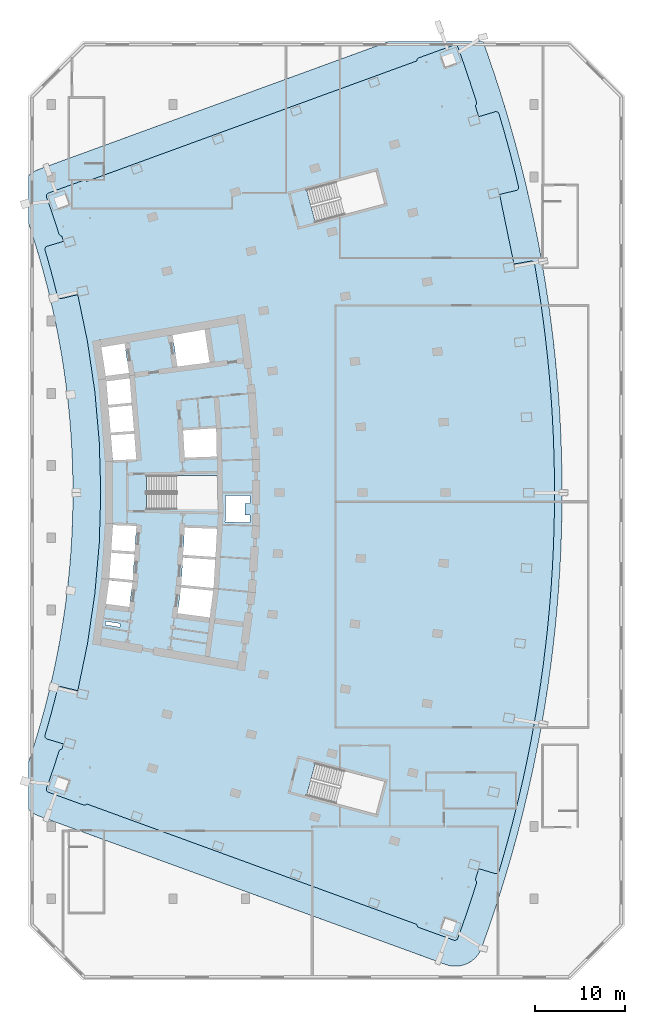
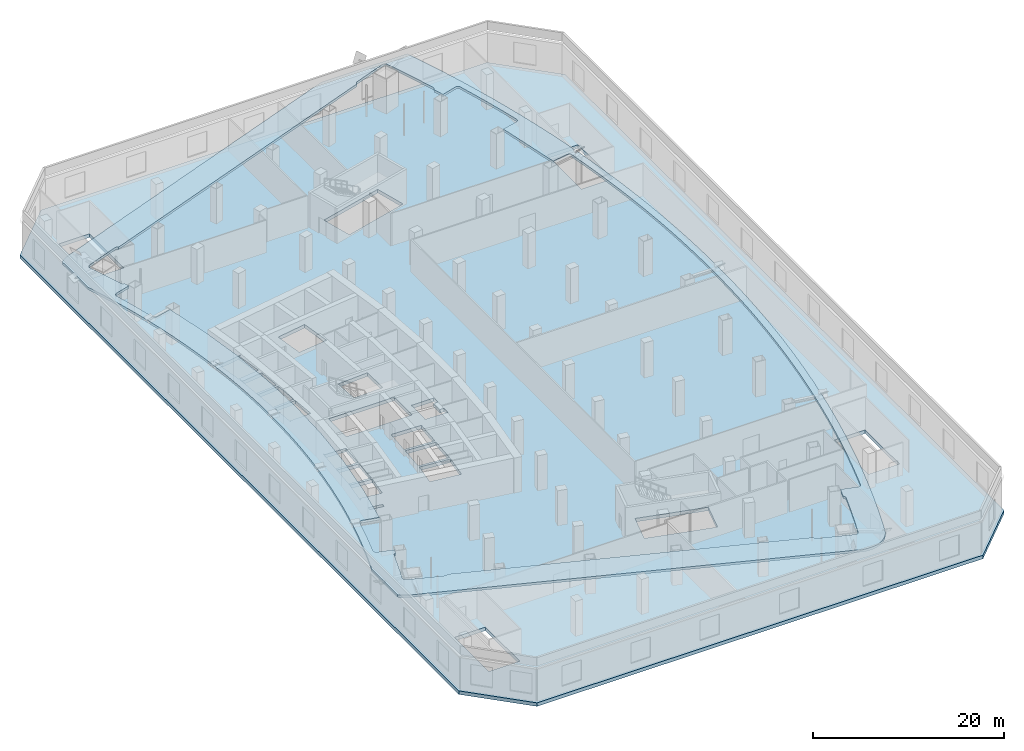
# One storey, part 10 of 19: 2 slabs.
"""IFC4 building model written with IfcOpenShell, lengths in metres."""

from ifc_helpers import new_model, si_unit, direction, frame, origin, place, context, subcontext, project, spatial, polyline, outline, extrude, material, layer, layer_set, type_object, element, save


model = new_model("IFC4")

# Units and contexts
model_context = context("Model", 3, precision=1e-05, world=origin(), true_north=direction((0.0, 1.0)))
body_context = subcontext(model_context, "Body", "Model", "MODEL_VIEW")
ifc_project = project(units=[si_unit("LENGTHUNIT", "METRE"), si_unit("AREAUNIT", "SQUARE_METRE"), si_unit("VOLUMEUNIT", "CUBIC_METRE"), si_unit("PLANEANGLEUNIT", "RADIAN"), si_unit("MASSUNIT", "GRAM", prefix="KILO")], contexts=[model_context])

# Site, building, storey
site_placement = place(None, origin())
site = spatial("IfcSite", under=ifc_project, at=site_placement, CompositionType="ELEMENT")
building_placement = place(site_placement, origin())
building = spatial("IfcBuilding", under=site, at=building_placement, Name="Alderwake Tower", CompositionType="ELEMENT")
storey_placement = place(building_placement, frame((0.0, 0.0, 27.5)))
storey = spatial("IfcBuildingStorey", under=building, at=storey_placement, Name="L05", CompositionType="ELEMENT", Elevation=27.5)

# Slabs
ifc_material_1 = material(Name="Concrete C50/60", Category="concrete")
ifc_layer_1 = layer(ifc_material_1, 0.449951171875)
ifc_layer_set_1 = layer_set([ifc_layer_1], Name="Concrete C50/60 post-tensioned flat plate 450")
slab_type_1 = type_object("IfcSlabType", Name="Concrete C50/60 post-tensioned flat plate 450", PredefinedType="FLOOR", material=ifc_layer_set_1)
slab_1_placement = place(storey_placement, frame((0.0, 0.0, -0.449951171875)))
element("IfcSlab", 1, at=slab_1_placement, inside=storey, type_object=slab_type_1, Name="Floor slab L05", PredefinedType="FLOOR", context=body_context, shape_type="SweptSolid", body=[
    extrude(outline(polyline([(8.0, 105.0), (14.0, 111.0), (68.0, 111.0), (74.0, 105.0), (74.0, 13.0), (68.0, 7.0), (14.0, 7.0), (8.0, 13.0), (8.0, 105.0)]), holes=[polyline([(16.25, 14.5), (16.25, 21.68994140625), (12.5, 21.68994140625), (12.5, 14.5), (16.25, 14.5)]), polyline([(16.943359375, 51.26953125), (16.9580078125, 51.4189453125), (16.972900390625, 51.568115234375), (19.525146484375, 51.31591796875), (19.71630859375, 54.164794921875), (17.153564453125, 54.33642578125), (17.16357421875, 54.486083984375), (17.173583984375, 54.6357421875), (19.736083984375, 54.464111328125), (19.92724609375, 57.312744140625), (17.364013671875, 57.403564453125), (17.369140625, 57.553466796875), (17.33935546875, 57.554443359375), (17.1337890625, 54.48828125), (16.927978515625, 51.421875), (16.92822265625, 51.421875), (16.50927734375, 48.377197265625), (16.5390625, 48.373291015625), (16.577880859375, 48.6708984375), (19.138671875, 48.3359375), (19.495361328125, 51.017333984375), (16.943359375, 51.26953125)]), polyline([(29.0, 62.875), (21.050048828125, 62.875), (21.050048828125, 59.125), (29.0, 59.125), (29.0, 62.875)]), polyline([(19.688720703125, 67.53271484375), (17.12548828125, 67.361083984375), (17.115478515625, 67.510498046875), (17.10546875, 67.660400390625), (19.6640625, 67.831787109375), (19.42822265625, 70.674560546875), (16.87646484375, 70.42236328125), (16.86181640625, 70.571533203125), (16.846923828125, 70.720947265625), (19.403564453125, 70.973388671875), (19.179931640625, 73.66943359375), (16.646484375, 73.338134765625), (16.607666015625, 73.635498046875), (16.56884765625, 73.93310546875), (19.111083984375, 74.265625), (18.6240234375, 77.531982421875), (18.919921875, 77.575927734375), (18.916748046875, 77.593994140625), (16.082275390625, 77.10546875), (15.9345703125, 77.9619140625), (15.634765625, 77.908935546875), (15.63525390625, 77.9052734375), (15.9140625, 77.9482421875), (16.57763671875, 73.631591796875), (16.578369140625, 73.626220703125), (16.831787109375, 70.568603515625), (17.085693359375, 67.508544921875), (17.33935546875, 64.4482421875), (17.33935546875, 64.445556640625), (17.369384765625, 64.446533203125), (17.364013671875, 64.596435546875), (19.9248046875, 64.687255859375), (19.688720703125, 67.53271484375)]), polyline([(12.5, 104.699951171875), (12.5, 97.510009765625), (16.25, 97.510009765625), (16.25, 104.699951171875), (12.5, 104.699951171875)]), polyline([(47.436279296875, 28.996826171875), (39.754150390625, 31.043212890625), (38.7890625, 27.41943359375), (46.47119140625, 25.373291015625), (47.436279296875, 28.996826171875)]), polyline([(65.0, 33.0), (65.0, 25.81005859375), (68.75, 25.81005859375), (68.75, 33.0), (65.0, 33.0)]), polyline([(28.4482421875, 50.1328125), (24.87451171875, 50.48583984375), (24.878662109375, 50.52783203125), (24.875, 50.5283203125), (24.48974609375, 47.635986328125), (28.05419921875, 47.169921875), (28.4482421875, 50.1328125)]), polyline([(28.669921875, 53.564453125), (25.080810546875, 53.804931640625), (24.89501953125, 50.731201171875), (24.898681640625, 50.730712890625), (24.904052734375, 50.784423828125), (28.484375, 50.4306640625), (28.669921875, 53.564453125)]), polyline([(28.873291015625, 56.99609375), (25.281494140625, 57.123291015625), (25.09912109375, 54.1044921875), (28.687744140625, 53.864013671875), (28.873291015625, 56.99609375)]), polyline([(28.769287109375, 68.0869140625), (28.764892578125, 68.141357421875), (25.101318359375, 67.895751953125), (25.2822265625, 64.876708984375), (28.83740234375, 65.002685546875), (28.769287109375, 68.0869140625)]), polyline([(27.490966796875, 79.072021484375), (23.932373046875, 78.45849609375), (23.93310546875, 78.454833984375), (23.9443359375, 78.45654296875), (24.4697265625, 74.972412109375), (24.36474609375, 74.95654296875), (24.365478515625, 74.952880859375), (28.0400390625, 75.433349609375), (27.490966796875, 79.072021484375)]), polyline([(65.0, 86.0), (68.75, 86.0), (68.75, 93.18994140625), (65.0, 93.18994140625), (65.0, 86.0)]), polyline([(47.436279296875, 93.003173828125), (46.47119140625, 96.626708984375), (38.7890625, 94.58056640625), (39.754150390625, 90.956787109375), (47.436279296875, 93.003173828125)]), polyline([(18.137451171875, 46.497314453125), (16.534912109375, 46.728759765625), (16.4833984375, 46.355712890625), (18.08544921875, 46.10693359375), (18.137451171875, 46.497314453125)]), polyline([(29.769775390625, 57.7548828125), (32.489990234375, 57.66650390625), (32.489990234375, 58.509033203125), (31.989990234375, 58.509033203125), (31.989990234375, 59.80908203125), (32.489990234375, 59.80908203125), (32.489990234375, 60.675048828125), (29.783447265625, 60.675048828125), (29.826416015625, 58.727294921875), (29.769775390625, 57.7548828125)])]), origin(), (0.0, 0.0, 1.0), 0.449951171875),
])
ifc_material_2 = material(Name="Concrete C50/60", Category="concrete")
ifc_layer_2 = layer(ifc_material_2, 0.320068359375)
ifc_layer_set_2 = layer_set([ifc_layer_2], Name="Concrete C50/60 roof slab 320")
slab_type_2 = type_object("IfcSlabType", Name="Concrete C50/60 roof slab 320", PredefinedType="ROOF", material=ifc_layer_set_2)
slab_2_placement = place(storey_placement, frame((0.0, 0.0, 4.179931640625)))
element("IfcSlab", 2, at=slab_2_placement, inside=storey, type_object=slab_type_2, Name="Roof slab L05 4", PredefinedType="ROOF", context=body_context, shape_type="SweptSolid", body=[
    extrude(outline(polyline([(8.0, 31.234375), (8.0, 25.883056640625), (8.0, 25.883056640625), (8.0, 25.883056640625), (8.0, 25.883056640625), (8.0, 25.883056640625), (8.000244140625, 25.883056640625), (8.000244140625, 25.883056640625), (8.000244140625, 25.883056640625), (8.000244140625, 25.883056640625), (8.00048828125, 25.883056640625), (8.087890625, 25.794921875), (8.32080078125, 25.6015625), (8.57177734375, 25.431884765625), (8.837890625, 25.287841796875), (9.116943359375, 25.17041015625), (54.206787109375, 8.711181640625), (54.498779296875, 8.62060546875), (54.798095703125, 8.559326171875), (55.10205078125, 8.52783203125), (55.40771484375, 8.5263671875), (55.7119140625, 8.554931640625), (56.01171875, 8.61328125), (56.304443359375, 8.701171875), (56.587158203125, 8.817138671875), (56.85693359375, 8.96044921875), (57.111572265625, 9.1298828125), (57.347900390625, 9.3232421875), (57.564208984375, 9.5390625), (57.75830078125, 9.775146484375), (57.92822265625, 10.029296875), (58.072021484375, 10.298583984375), (58.18896484375, 10.581298828125), (58.89453125, 12.55908203125), (58.909423828125, 12.601806640625), (59.586181640625, 14.589599609375), (59.6005859375, 14.632568359375), (60.248291015625, 16.630126953125), (60.26171875, 16.673095703125), (60.88037109375, 18.679931640625), (60.893310546875, 18.723388671875), (61.482421875, 20.739013671875), (61.494873046875, 20.782470703125), (62.054443359375, 22.806396484375), (62.06640625, 22.85009765625), (62.596435546875, 24.882080078125), (62.607421875, 24.92578125), (63.10791015625, 26.96533203125), (63.118408203125, 27.009521484375), (63.589111328125, 29.055908203125), (63.598876953125, 29.10009765625), (64.03955078125, 31.1533203125), (64.048828125, 31.197509765625), (64.45947265625, 33.257080078125), (64.468017578125, 33.301513671875), (64.848876953125, 35.366455078125), (64.856689453125, 35.4111328125), (65.207275390625, 37.481689453125), (65.21435546875, 37.526123046875), (65.53466796875, 39.6015625), (65.541259765625, 39.646484375), (65.831298828125, 41.726318359375), (65.837158203125, 41.77099609375), (66.0966796875, 43.85498046875), (66.10205078125, 43.89990234375), (66.331298828125, 45.9873046875), (66.3359375, 46.031982421875), (66.53466796875, 48.122802734375), (66.53857421875, 48.167724609375), (66.706787109375, 50.260986328125), (66.710205078125, 50.305908203125), (66.847900390625, 52.401611328125), (66.8505859375, 52.446533203125), (66.957763671875, 54.543701171875), (66.959716796875, 54.589111328125), (67.0361328125, 56.6875), (67.03759765625, 56.73291015625), (67.08349609375, 58.832275390625), (67.083984375, 58.87744140625), (67.099365234375, 60.977294921875), (67.099365234375, 61.022705078125), (67.083984375, 63.12255859375), (67.08349609375, 63.167724609375), (67.03759765625, 65.26708984375), (67.0361328125, 65.3125), (66.959716796875, 67.410888671875), (66.957763671875, 67.456298828125), (66.8505859375, 69.553466796875), (66.847900390625, 69.598388671875), (66.710205078125, 71.694091796875), (66.706787109375, 71.739013671875), (66.53857421875, 73.832275390625), (66.53466796875, 73.877197265625), (66.3359375, 75.968017578125), (66.331298828125, 76.0126953125), (66.10205078125, 78.10009765625), (66.0966796875, 78.14501953125), (65.837158203125, 80.22900390625), (65.831298828125, 80.273681640625), (65.541259765625, 82.353515625), (65.53466796875, 82.3984375), (65.21435546875, 84.473876953125), (65.207275390625, 84.518310546875), (64.856689453125, 86.5888671875), (64.848876953125, 86.633544921875), (64.468017578125, 88.698486328125), (64.45947265625, 88.742919921875), (64.048828125, 90.802490234375), (64.03955078125, 90.8466796875), (63.598876953125, 92.89990234375), (63.589111328125, 92.944091796875), (63.118408203125, 94.990478515625), (63.10791015625, 95.03466796875), (62.607421875, 97.07421875), (62.596435546875, 97.117919921875), (62.06640625, 99.14990234375), (62.054443359375, 99.193603515625), (61.494873046875, 101.217529296875), (61.482421875, 101.260986328125), (60.893310546875, 103.276611328125), (60.88037109375, 103.320068359375), (60.26171875, 105.326904296875), (60.248291015625, 105.369873046875), (59.6005859375, 107.367431640625), (59.586181640625, 107.410400390625), (58.909423828125, 109.398193359375), (58.89453125, 109.44091796875), (58.33837890625, 110.999755859375), (58.33837890625, 111.0), (58.33837890625, 111.0), (58.33837890625, 111.0), (58.33837890625, 111.0), (47.935546875, 111.0), (47.935546875, 111.0), (47.935546875, 111.0), (47.935546875, 111.0), (47.935546875, 110.999755859375), (47.935546875, 110.999755859375), (47.935302734375, 110.999755859375), (47.935302734375, 110.999755859375), (47.935302734375, 110.999755859375), (47.935302734375, 110.99951171875), (47.935302734375, 110.99951171875), (47.935302734375, 110.99951171875), (47.935302734375, 110.99951171875), (47.935302734375, 110.99951171875), (9.116943359375, 96.82958984375), (8.837890625, 96.712158203125), (8.57177734375, 96.568115234375), (8.32080078125, 96.3984375), (8.087890625, 96.205078125), (8.00048828125, 96.116943359375), (8.000244140625, 96.116943359375), (8.000244140625, 96.116943359375), (8.000244140625, 96.116943359375), (8.000244140625, 96.116943359375), (8.0, 96.116943359375), (8.0, 96.116943359375), (8.0, 96.116943359375), (8.0, 96.116943359375), (8.0, 96.116943359375), (8.0, 90.765625), (8.0, 90.765625), (8.0, 90.765625), (8.0, 90.765625), (8.000244140625, 90.765625), (8.000244140625, 90.765625), (8.000244140625, 90.765625), (8.000244140625, 90.765625), (8.000244140625, 90.765625), (8.00048828125, 90.765380859375), (8.00048828125, 90.765380859375), (8.00048828125, 90.765380859375), (8.00048828125, 90.765380859375), (8.00048828125, 90.765380859375), (8.159912109375, 90.296875), (8.159912109375, 90.296875), (8.577880859375, 89.00830078125), (8.577880859375, 89.008056640625), (8.976806640625, 87.71337890625), (8.976806640625, 87.71337890625), (9.35693359375, 86.4130859375), (9.35693359375, 86.4130859375), (9.718017578125, 85.107177734375), (9.718017578125, 85.107177734375), (10.06005859375, 83.79638671875), (10.06005859375, 83.79638671875), (10.3828125, 82.480712890625), (10.3828125, 82.480712890625), (10.6865234375, 81.160400390625), (10.6865234375, 81.160400390625), (10.970947265625, 79.835693359375), (10.970947265625, 79.835693359375), (11.23583984375, 78.507080078125), (11.23583984375, 78.507080078125), (11.4814453125, 77.1748046875), (11.4814453125, 77.1748046875), (11.707763671875, 75.839111328125), (11.707763671875, 75.839111328125), (11.914306640625, 74.5), (11.914306640625, 74.5), (12.101318359375, 73.158203125), (12.101318359375, 73.158203125), (12.268798828125, 71.81396484375), (12.268798828125, 71.81396484375), (12.416748046875, 70.46728515625), (12.416748046875, 70.467041015625), (12.544921875, 69.118408203125), (12.544921875, 69.118408203125), (12.653564453125, 67.76806640625), (12.653564453125, 67.76806640625), (12.742431640625, 66.416015625), (12.742431640625, 66.416015625), (12.8115234375, 65.06298828125), (12.8115234375, 65.06298828125), (12.86083984375, 63.709228515625), (12.86083984375, 63.709228515625), (12.890380859375, 62.354736328125), (12.890380859375, 62.354736328125), (12.900390625, 61.0), (12.900390625, 61.0), (12.890380859375, 59.645263671875), (12.890380859375, 59.645263671875), (12.86083984375, 58.290771484375), (12.86083984375, 58.290771484375), (12.8115234375, 56.93701171875), (12.8115234375, 56.93701171875), (12.742431640625, 55.583984375), (12.742431640625, 55.583984375), (12.653564453125, 54.23193359375), (12.653564453125, 54.23193359375), (12.544921875, 52.881591796875), (12.544921875, 52.881591796875), (12.416748046875, 51.532958984375), (12.416748046875, 51.53271484375), (12.268798828125, 50.18603515625), (12.268798828125, 50.18603515625), (12.101318359375, 48.841796875), (12.101318359375, 48.841796875), (11.914306640625, 47.5), (11.914306640625, 47.5), (11.707763671875, 46.160888671875), (11.707763671875, 46.160888671875), (11.4814453125, 44.8251953125), (11.4814453125, 44.8251953125), (11.23583984375, 43.492919921875), (11.23583984375, 43.492919921875), (10.970947265625, 42.164306640625), (10.970947265625, 42.164306640625), (10.6865234375, 40.839599609375), (10.6865234375, 40.839599609375), (10.3828125, 39.519287109375), (10.3828125, 39.519287109375), (10.06005859375, 38.20361328125), (10.06005859375, 38.20361328125), (9.718017578125, 36.892822265625), (9.718017578125, 36.892822265625), (9.35693359375, 35.5869140625), (9.35693359375, 35.5869140625), (8.976806640625, 34.28662109375), (8.976806640625, 34.28662109375), (8.577880859375, 32.991943359375), (8.577880859375, 32.99169921875), (8.159912109375, 31.703125), (8.159912109375, 31.703125), (8.00048828125, 31.234619140625), (8.00048828125, 31.234619140625), (8.00048828125, 31.234619140625), (8.00048828125, 31.234619140625), (8.00048828125, 31.234619140625), (8.000244140625, 31.234375), (8.000244140625, 31.234375), (8.000244140625, 31.234375), (8.000244140625, 31.234375), (8.000244140625, 31.234375), (8.0, 31.234375), (8.0, 31.234375), (8.0, 31.234375), (8.0, 31.234375)]), holes=[polyline([(59.66357421875, 18.797607421875), (57.860595703125, 19.33740234375), (57.47802734375, 18.096435546875), (57.498046875, 18.0810546875), (57.523681640625, 18.056884765625), (57.547119140625, 18.0302734375), (57.5673828125, 18.00146484375), (57.585205078125, 17.970947265625), (57.599609375, 17.938720703125), (57.611083984375, 17.9052734375), (57.618896484375, 17.870849609375), (57.62353515625, 17.835693359375), (57.62451171875, 17.80029296875), (57.622314453125, 17.76513671875), (57.6162109375, 17.730224609375), (57.607177734375, 17.6962890625), (56.899658203125, 15.50927734375), (56.89794921875, 15.504150390625), (56.2216796875, 13.517578125), (56.219970703125, 13.5126953125), (55.549072265625, 11.630126953125), (55.53564453125, 11.597412109375), (55.518798828125, 11.56591796875), (55.4990234375, 11.53662109375), (55.4765625, 11.509033203125), (55.451416015625, 11.48388671875), (55.424072265625, 11.461669921875), (55.39453125, 11.44189453125), (55.36328125, 11.42529296875), (55.330322265625, 11.41162109375), (55.29638671875, 11.401611328125), (55.26171875, 11.394775390625), (55.226318359375, 11.391357421875), (55.19091796875, 11.3916015625), (55.155517578125, 11.395263671875), (55.12060546875, 11.40234375), (55.0869140625, 11.41259765625), (51.234375, 12.81591796875), (51.201904296875, 12.82958984375), (51.1708984375, 12.846435546875), (51.1416015625, 12.8662109375), (51.1142578125, 12.888916015625), (51.089599609375, 12.9140625), (51.067138671875, 12.94140625), (51.0478515625, 12.970947265625), (51.03125, 13.002197265625), (51.01806640625, 13.034912109375), (51.0078125, 13.068603515625), (51.001220703125, 13.103515625), (50.997802734375, 13.138671875), (50.998046875, 13.16064453125), (14.435302734375, 26.507080078125), (14.42626953125, 26.496337890625), (14.401123046875, 26.4716796875), (14.373779296875, 26.44921875), (14.34423828125, 26.4296875), (14.31298828125, 26.413330078125), (14.2802734375, 26.39990234375), (14.246337890625, 26.389892578125), (14.211669921875, 26.38330078125), (14.176513671875, 26.3798828125), (14.14111328125, 26.380126953125), (14.106201171875, 26.3837890625), (14.071533203125, 26.390869140625), (14.03759765625, 26.4013671875), (10.184814453125, 27.80322265625), (10.152587890625, 27.81689453125), (10.12158203125, 27.83349609375), (10.09228515625, 27.853271484375), (10.065185546875, 27.87548828125), (10.04052734375, 27.900634765625), (10.018310546875, 27.927978515625), (9.998779296875, 27.957275390625), (9.982421875, 27.98828125), (9.968994140625, 28.020751953125), (9.958740234375, 28.054443359375), (9.951904296875, 28.0888671875), (9.948486328125, 28.123779296875), (9.948486328125, 28.1591796875), (9.951904296875, 28.194091796875), (9.958740234375, 28.228515625), (9.968994140625, 28.26220703125), (10.40478515625, 29.48583984375), (10.8544921875, 30.807373046875), (11.345947265625, 32.32861328125), (11.3583984375, 32.36181640625), (11.374267578125, 32.393310546875), (11.392822265625, 32.42333984375), (11.41455078125, 32.451416015625), (11.438720703125, 32.47705078125), (11.465087890625, 32.500244140625), (11.493896484375, 32.52099609375), (11.524658203125, 32.53857421875), (11.556884765625, 32.552978515625), (11.59033203125, 32.564208984375), (11.624755859375, 32.572265625), (11.65966796875, 32.576904296875), (11.672607421875, 32.5771484375), (11.850341796875, 33.154541015625), (10.05126953125, 33.6923828125), (10.018310546875, 33.7041015625), (9.986328125, 33.718994140625), (9.9560546875, 33.737060546875), (9.927734375, 33.7578125), (9.901611328125, 33.78125), (9.877685546875, 33.80712890625), (9.856689453125, 33.835205078125), (9.83837890625, 33.865478515625), (9.822998046875, 33.897216796875), (9.810791015625, 33.93017578125), (9.802001953125, 33.964111328125), (9.796630859375, 33.998779296875), (9.79443359375, 34.033935546875), (9.7958984375, 34.069091796875), (9.80078125, 34.10400390625), (9.808837890625, 34.13818359375), (10.16455078125, 35.357177734375), (10.52880859375, 36.6748046875), (10.8740234375, 37.997802734375), (11.17724609375, 39.230712890625), (11.187255859375, 39.264404296875), (11.20068359375, 39.297119140625), (11.217041015625, 39.328125), (11.236328125, 39.357421875), (11.258544921875, 39.384765625), (11.283203125, 39.409912109375), (11.310302734375, 39.432373046875), (11.33935546875, 39.4521484375), (11.370361328125, 39.468994140625), (11.402587890625, 39.482666015625), (11.436279296875, 39.4931640625), (11.470703125, 39.50048828125), (11.505615234375, 39.504150390625), (11.540771484375, 39.50439453125), (11.57568359375, 39.50146484375), (11.6103515625, 39.4951171875), (13.431396484375, 39.06005859375), (14.513916015625, 44.2890625), (15.327392578125, 49.82763671875), (15.816650390625, 55.404296875), (15.97998046875, 61.0), (15.816650390625, 66.595703125), (15.327392578125, 72.17236328125), (14.513916015625, 77.7109375), (13.431396484375, 82.93994140625), (11.6103515625, 82.5048828125), (11.57568359375, 82.49853515625), (11.540771484375, 82.49560546875), (11.505615234375, 82.495849609375), (11.470703125, 82.49951171875), (11.436279296875, 82.5068359375), (11.402587890625, 82.517333984375), (11.370361328125, 82.531005859375), (11.33935546875, 82.5478515625), (11.310302734375, 82.567626953125), (11.283203125, 82.590087890625), (11.258544921875, 82.615234375), (11.236328125, 82.642578125), (11.217041015625, 82.671875), (11.20068359375, 82.702880859375), (11.187255859375, 82.735595703125), (11.17724609375, 82.769287109375), (10.8740234375, 84.002197265625), (10.52880859375, 85.3251953125), (10.16455078125, 86.642822265625), (9.808837890625, 87.86181640625), (9.80078125, 87.89599609375), (9.7958984375, 87.930908203125), (9.79443359375, 87.966064453125), (9.796630859375, 88.001220703125), (9.802001953125, 88.035888671875), (9.810791015625, 88.06982421875), (9.822998046875, 88.102783203125), (9.83837890625, 88.134521484375), (9.856689453125, 88.164794921875), (9.877685546875, 88.19287109375), (9.901611328125, 88.21875), (9.927734375, 88.2421875), (9.9560546875, 88.262939453125), (9.986328125, 88.281005859375), (10.018310546875, 88.2958984375), (10.05126953125, 88.3076171875), (11.850341796875, 88.845458984375), (11.672607421875, 89.4228515625), (11.65966796875, 89.423095703125), (11.624755859375, 89.427734375), (11.59033203125, 89.435791015625), (11.556884765625, 89.447021484375), (11.524658203125, 89.46142578125), (11.493896484375, 89.47900390625), (11.465087890625, 89.499755859375), (11.438720703125, 89.52294921875), (11.41455078125, 89.548583984375), (11.392822265625, 89.57666015625), (11.374267578125, 89.606689453125), (11.3583984375, 89.63818359375), (11.345947265625, 89.67138671875), (10.8544921875, 91.192626953125), (10.40478515625, 92.51416015625), (9.968994140625, 93.73779296875), (9.958740234375, 93.771484375), (9.951904296875, 93.805908203125), (9.948486328125, 93.8408203125), (9.948486328125, 93.876220703125), (9.951904296875, 93.9111328125), (9.958740234375, 93.945556640625), (9.968994140625, 93.979248046875), (9.982421875, 94.01171875), (9.998779296875, 94.042724609375), (10.018310546875, 94.072021484375), (10.04052734375, 94.099365234375), (10.065185546875, 94.12451171875), (10.09228515625, 94.146728515625), (10.12158203125, 94.16650390625), (10.152587890625, 94.18310546875), (10.184814453125, 94.19677734375), (14.03759765625, 95.5986328125), (14.071533203125, 95.609130859375), (14.106201171875, 95.6162109375), (14.14111328125, 95.619873046875), (14.176513671875, 95.6201171875), (14.211669921875, 95.61669921875), (14.246337890625, 95.610107421875), (14.2802734375, 95.60009765625), (14.31298828125, 95.586669921875), (14.34423828125, 95.5703125), (14.373779296875, 95.55078125), (14.401123046875, 95.5283203125), (14.42626953125, 95.503662109375), (14.435302734375, 95.492919921875), (50.998046875, 108.83935546875), (50.997802734375, 108.861328125), (51.001220703125, 108.896484375), (51.0078125, 108.931396484375), (51.01806640625, 108.965087890625), (51.03125, 108.997802734375), (51.0478515625, 109.029052734375), (51.067138671875, 109.05859375), (51.089599609375, 109.0859375), (51.1142578125, 109.111083984375), (51.1416015625, 109.1337890625), (51.1708984375, 109.153564453125), (51.201904296875, 109.17041015625), (51.234375, 109.18408203125), (55.0869140625, 110.58740234375), (55.12060546875, 110.59765625), (55.155517578125, 110.604736328125), (55.19091796875, 110.6083984375), (55.226318359375, 110.608642578125), (55.26171875, 110.605224609375), (55.29638671875, 110.598388671875), (55.330322265625, 110.58837890625), (55.36328125, 110.57470703125), (55.39453125, 110.55810546875), (55.424072265625, 110.538330078125), (55.451416015625, 110.51611328125), (55.4765625, 110.490966796875), (55.4990234375, 110.46337890625), (55.518798828125, 110.43408203125), (55.53564453125, 110.402587890625), (55.549072265625, 110.369873046875), (56.219970703125, 108.4873046875), (56.2216796875, 108.482421875), (56.89794921875, 106.495849609375), (56.899658203125, 106.49072265625), (57.607177734375, 104.3037109375), (57.6162109375, 104.269775390625), (57.622314453125, 104.23486328125), (57.62451171875, 104.19970703125), (57.62353515625, 104.164306640625), (57.618896484375, 104.129150390625), (57.611083984375, 104.0947265625), (57.599609375, 104.061279296875), (57.585205078125, 104.029052734375), (57.5673828125, 103.99853515625), (57.547119140625, 103.9697265625), (57.523681640625, 103.943115234375), (57.498046875, 103.9189453125), (57.47802734375, 103.903564453125), (57.860595703125, 102.66259765625), (59.66357421875, 103.202392578125), (59.697998046875, 103.2109375), (59.733154296875, 103.216064453125), (59.7685546875, 103.217529296875), (59.803955078125, 103.2158203125), (59.839111328125, 103.210205078125), (59.873291015625, 103.201416015625), (59.90673828125, 103.189208984375), (59.938720703125, 103.173828125), (59.968994140625, 103.155517578125), (59.997314453125, 103.134033203125), (60.0234375, 103.110107421875), (60.047119140625, 103.08349609375), (60.068115234375, 103.0546875), (60.0859375, 103.024169921875), (60.100830078125, 102.991943359375), (60.1123046875, 102.95849609375), (60.6806640625, 101.011962890625), (60.681884765625, 101.007080078125), (61.2490234375, 98.956298828125), (61.25048828125, 98.951416015625), (61.78759765625, 96.892578125), (61.788818359375, 96.8876953125), (62.272705078125, 94.91845703125), (62.279541015625, 94.883544921875), (62.28271484375, 94.84814453125), (62.28271484375, 94.812744140625), (62.27880859375, 94.777587890625), (62.271728515625, 94.74267578125), (62.26123046875, 94.708740234375), (62.247314453125, 94.676025390625), (62.23046875, 94.64501953125), (62.21044921875, 94.615478515625), (62.187744140625, 94.58837890625), (62.162353515625, 94.5634765625), (62.134765625, 94.541259765625), (62.10498046875, 94.52197265625), (62.073486328125, 94.505615234375), (62.04052734375, 94.4921875), (62.006591796875, 94.482421875), (60.17041015625, 94.044677734375), (61.767333984375, 86.3310546875), (63.626708984375, 86.658447265625), (63.661865234375, 86.662841796875), (63.697265625, 86.663818359375), (63.732666015625, 86.6611328125), (63.767578125, 86.6552734375), (63.8017578125, 86.645751953125), (63.8349609375, 86.633056640625), (63.86669921875, 86.616943359375), (63.896484375, 86.597900390625), (63.924560546875, 86.576171875), (63.9501953125, 86.5517578125), (63.973388671875, 86.524658203125), (63.99365234375, 86.49560546875), (64.010986328125, 86.46484375), (64.025390625, 86.432373046875), (64.036376953125, 86.3984375), (64.0439453125, 86.364013671875), (64.3818359375, 84.364501953125), (64.382568359375, 84.359375), (64.70703125, 82.256591796875), (64.7080078125, 82.25146484375), (65.001708984375, 80.14404296875), (65.002197265625, 80.138916015625), (65.265380859375, 78.027587890625), (65.26611328125, 78.0224609375), (65.498291015625, 75.907470703125), (65.498779296875, 75.902099609375), (65.7001953125, 73.7841796875), (65.70068359375, 73.77880859375), (65.87109375, 71.657958984375), (65.87158203125, 71.652587890625), (66.010986328125, 69.529541015625), (66.01123046875, 69.5244140625), (66.119873046875, 67.3994140625), (66.1201171875, 67.394287109375), (66.19775390625, 65.267822265625), (66.19775390625, 65.2626953125), (66.244384765625, 63.135498046875), (66.244384765625, 63.130126953125), (66.260009765625, 61.002685546875), (66.260009765625, 60.997314453125), (66.244384765625, 58.869873046875), (66.244384765625, 58.864501953125), (66.19775390625, 56.7373046875), (66.19775390625, 56.732177734375), (66.1201171875, 54.605712890625), (66.119873046875, 54.6005859375), (66.01123046875, 52.4755859375), (66.010986328125, 52.470458984375), (65.87158203125, 50.347412109375), (65.87109375, 50.342041015625), (65.70068359375, 48.22119140625), (65.7001953125, 48.2158203125), (65.498779296875, 46.097900390625), (65.498291015625, 46.092529296875), (65.26611328125, 43.9775390625), (65.265380859375, 43.972412109375), (65.002197265625, 41.861083984375), (65.001708984375, 41.85595703125), (64.7080078125, 39.74853515625), (64.70703125, 39.743408203125), (64.382568359375, 37.640625), (64.381591796875, 37.635498046875), (64.026611328125, 35.53759765625), (64.025634765625, 35.5322265625), (63.639892578125, 33.43994140625), (63.638916015625, 33.434814453125), (63.22265625, 31.34814453125), (63.2216796875, 31.343017578125), (62.775146484375, 29.2626953125), (62.77392578125, 29.257568359375), (62.297119140625, 27.18408203125), (62.2958984375, 27.178955078125), (61.788818359375, 25.112548828125), (61.78759765625, 25.107421875), (61.25048828125, 23.048583984375), (61.2490234375, 23.043701171875), (60.681884765625, 20.992919921875), (60.6806640625, 20.988037109375), (60.1123046875, 19.04150390625), (60.100830078125, 19.008056640625), (60.0859375, 18.975830078125), (60.068115234375, 18.9453125), (60.047119140625, 18.91650390625), (60.0234375, 18.889892578125), (59.997314453125, 18.865966796875), (59.968994140625, 18.844482421875), (59.938720703125, 18.826171875), (59.90673828125, 18.810791015625), (59.873291015625, 18.798583984375), (59.839111328125, 18.789794921875), (59.803955078125, 18.7841796875), (59.7685546875, 18.782470703125), (59.733154296875, 18.783935546875), (59.697998046875, 18.7890625), (59.66357421875, 18.797607421875)])]), origin(), (0.0, 0.0, 1.0), 0.320068359375),
])

save(model, "model.ifc")
